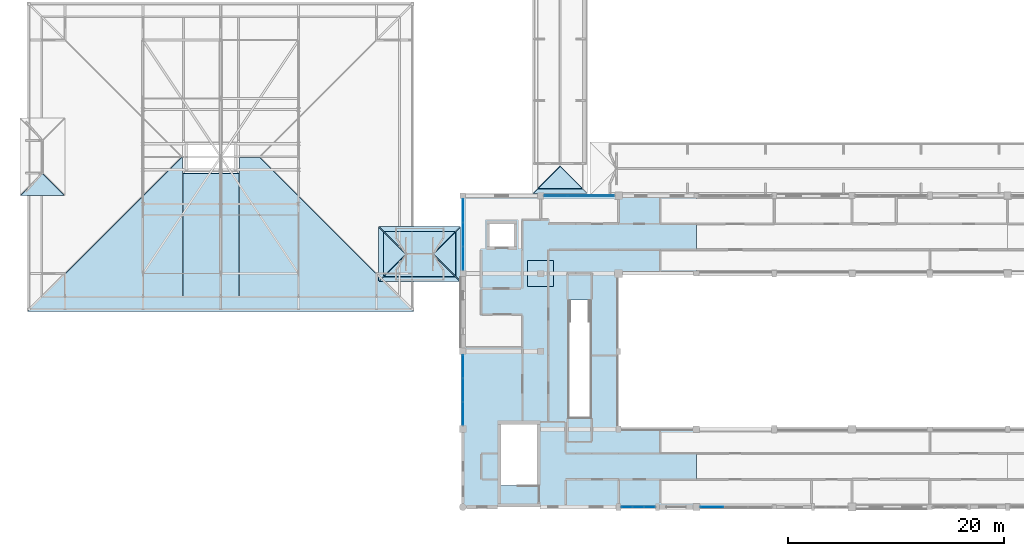
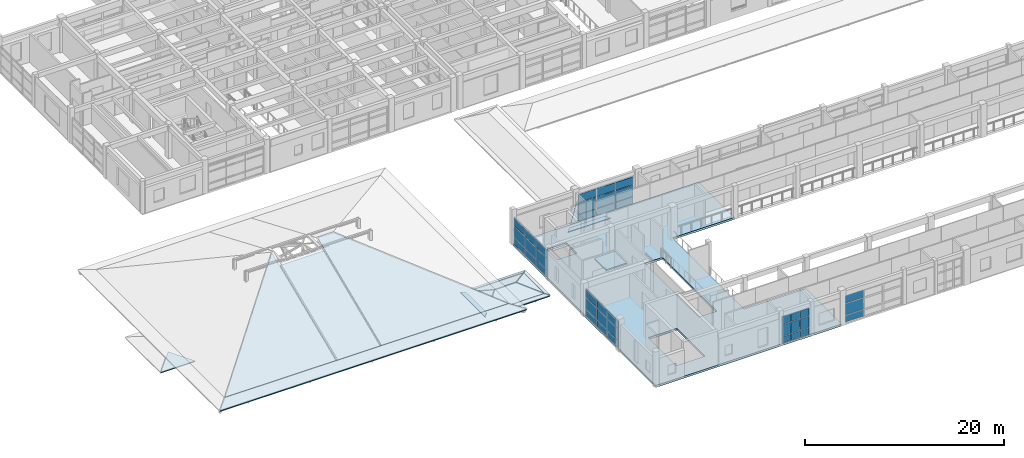
# One storey, part 58 of 110: 39 plates, 17 slabs, 9 elements without a shape of their own.
"""IFC4 building model written with IfcOpenShell, lengths in metres."""

from ifc_helpers import new_model, si_unit, direction, frame, origin, origin_2d, place, context, subcontext, project, spatial, polyline, rectangle, outline, extrude, material, layer, layer_set, type_object, element, aggregate, save


model = new_model("IFC4")

# Units and contexts
model_context = context("Model", 3, precision=1e-05, world=origin(), true_north=direction((0.0, 1.0)))
body_context = subcontext(model_context, "Body", "Model", "MODEL_VIEW")
ifc_project = project(units=[si_unit("LENGTHUNIT", "METRE"), si_unit("AREAUNIT", "SQUARE_METRE"), si_unit("VOLUMEUNIT", "CUBIC_METRE"), si_unit("PLANEANGLEUNIT", "RADIAN"), si_unit("MASSUNIT", "GRAM", prefix="KILO")], contexts=[model_context])

# Site, building, storey
site_placement = place(None, origin())
site = spatial("IfcSite", under=ifc_project, at=site_placement, CompositionType="ELEMENT")
building_placement = place(site_placement, origin())
building = spatial("IfcBuilding", under=site, at=building_placement, Name="Steenspoor Specialist Clinic", CompositionType="ELEMENT")
storey_placement = place(building_placement, frame((0.0, 0.0, 4.800048828125)))
storey = spatial("IfcBuildingStorey", under=building, at=storey_placement, Name="L01", CompositionType="ELEMENT", Elevation=4.800048828125)

# Curtain wall, plates
ifc_material_1 = material(Name="Thermally broken aluminium and low-emissivity glass", Category="aluminium")
curtain_wall_type_1 = type_object("IfcCurtainWallType", Name="CW-WLK-520X340", PredefinedType="USERDEFINED", material=ifc_material_1)
curtain_wall_1_placement = place(storey_placement, origin())
curtain_wall_1 = element("IfcCurtainWall", 1, at=curtain_wall_1_placement, inside=storey, type_object=curtain_wall_type_1, Name="Unitised Curtain Wall CW-V1-L01-021", ObjectType="UNITISED GLAZING", PredefinedType="USERDEFINED")
ifc_material_2 = material(Name="Double low-emissivity insulated glass", Category="glass")
ifc_layer_1 = layer(ifc_material_2, 0.035888671875)
ifc_layer_set_1 = layer_set([ifc_layer_1], Name="Double low-emissivity insulated glass")
plate_type_1 = type_object("IfcPlateType", Name="CW-PAN-GL36", PredefinedType="CURTAIN_PANEL", material=ifc_layer_set_1)
plate_1_placement = place(storey_placement, frame((45.199951171875, 21.68701171875, 0.070068359375), z_axis=(0.0, 0.0, 1.0), x_axis=(0.0, 1.0, 0.0)))
plate_1 = element("IfcPlate", 2, at=plate_1_placement, type_object=plate_type_1, Name="CW-21 panel 1.1", PredefinedType="CURTAIN_PANEL", context=body_context, shape_type="SweptSolid", body=[
    extrude(rectangle(XDim=2.09423828125, YDim=0.035888671875, at=origin_2d()), origin(), (0.0, 0.0, 1.0), 0.794921875),
])
plate_2_placement = place(storey_placement, frame((45.199951171875, 21.68701171875, 0.93505859375), z_axis=(0.0, 0.0, 1.0), x_axis=(0.0, 1.0, 0.0)))
plate_2 = element("IfcPlate", 3, at=plate_2_placement, type_object=plate_type_1, Name="CW-21 panel 1.2", PredefinedType="CURTAIN_PANEL", context=body_context, shape_type="SweptSolid", body=[
    extrude(rectangle(XDim=2.09423828125, YDim=0.035888671875, at=origin_2d()), origin(), (0.0, 0.0, 1.0), 1.3798828125),
])
plate_3_placement = place(storey_placement, frame((45.199951171875, 21.68701171875, 2.384765625), z_axis=(0.0, 0.0, 1.0), x_axis=(0.0, 1.0, 0.0)))
plate_3 = element("IfcPlate", 4, at=plate_3_placement, type_object=plate_type_1, Name="CW-21 panel 1.3", PredefinedType="CURTAIN_PANEL", context=body_context, shape_type="SweptSolid", body=[
    extrude(rectangle(XDim=2.09423828125, YDim=0.035888671875, at=origin_2d()), origin(), (0.0, 0.0, 1.0), 0.925048828125),
])
plate_4_placement = place(storey_placement, frame((45.199951171875, 23.862548828125, 0.070068359375), z_axis=(0.0, 0.0, 1.0), x_axis=(0.0, 1.0, 0.0)))
plate_4 = element("IfcPlate", 5, at=plate_4_placement, type_object=plate_type_1, Name="CW-21 panel 2.1", PredefinedType="CURTAIN_PANEL", context=body_context, shape_type="SweptSolid", body=[
    extrude(rectangle(XDim=2.126708984375, YDim=0.035888671875, at=origin_2d()), origin(), (0.0, 0.0, 1.0), 0.794921875),
])
plate_5_placement = place(storey_placement, frame((45.199951171875, 23.862548828125, 0.93505859375), z_axis=(0.0, 0.0, 1.0), x_axis=(0.0, 1.0, 0.0)))
plate_5 = element("IfcPlate", 6, at=plate_5_placement, type_object=plate_type_1, Name="CW-21 panel 2.2", PredefinedType="CURTAIN_PANEL", context=body_context, shape_type="SweptSolid", body=[
    extrude(rectangle(XDim=2.126708984375, YDim=0.035888671875, at=origin_2d()), origin(), (0.0, 0.0, 1.0), 1.3798828125),
])
plate_6_placement = place(storey_placement, frame((45.199951171875, 23.862548828125, 2.384765625), z_axis=(0.0, 0.0, 1.0), x_axis=(0.0, 1.0, 0.0)))
plate_6 = element("IfcPlate", 7, at=plate_6_placement, type_object=plate_type_1, Name="CW-21 panel 2.3", PredefinedType="CURTAIN_PANEL", context=body_context, shape_type="SweptSolid", body=[
    extrude(rectangle(XDim=2.126708984375, YDim=0.035888671875, at=origin_2d()), origin(), (0.0, 0.0, 1.0), 0.925048828125),
])
plate_7_placement = place(storey_placement, frame((45.199951171875, 26.037841796875, 0.070068359375), z_axis=(0.0, 0.0, 1.0), x_axis=(0.0, 1.0, 0.0)))
plate_7 = element("IfcPlate", 8, at=plate_7_placement, type_object=plate_type_1, Name="CW-21 panel 3.1", PredefinedType="CURTAIN_PANEL", context=body_context, shape_type="SweptSolid", body=[
    extrude(rectangle(XDim=2.09423828125, YDim=0.035888671875, at=origin_2d()), origin(), (0.0, 0.0, 1.0), 0.794921875),
])
plate_8_placement = place(storey_placement, frame((45.199951171875, 26.037841796875, 0.93505859375), z_axis=(0.0, 0.0, 1.0), x_axis=(0.0, 1.0, 0.0)))
plate_8 = element("IfcPlate", 9, at=plate_8_placement, type_object=plate_type_1, Name="CW-21 panel 3.2", PredefinedType="CURTAIN_PANEL", context=body_context, shape_type="SweptSolid", body=[
    extrude(rectangle(XDim=2.09423828125, YDim=0.035888671875, at=origin_2d()), origin(), (0.0, 0.0, 1.0), 1.3798828125),
])
plate_9_placement = place(storey_placement, frame((45.199951171875, 26.037841796875, 2.384765625), z_axis=(0.0, 0.0, 1.0), x_axis=(0.0, 1.0, 0.0)))
plate_9 = element("IfcPlate", 10, at=plate_9_placement, type_object=plate_type_1, Name="CW-21 panel 3.3", PredefinedType="CURTAIN_PANEL", context=body_context, shape_type="SweptSolid", body=[
    extrude(rectangle(XDim=2.09423828125, YDim=0.035888671875, at=origin_2d()), origin(), (0.0, 0.0, 1.0), 0.925048828125),
])
aggregate(curtain_wall_1, [plate_1, plate_2, plate_3, plate_4, plate_5, plate_6, plate_7, plate_8, plate_9])

curtain_wall_type_2 = type_object("IfcCurtainWallType", Name="CW-SCR-360X320", PredefinedType="USERDEFINED", material=ifc_material_1)
curtain_wall_2_placement = place(storey_placement, origin())
curtain_wall_2 = element("IfcCurtainWall", 11, at=curtain_wall_2_placement, inside=storey, type_object=curtain_wall_type_2, Name="Unitised Curtain Wall CW-V1-L01-019", ObjectType="UNITISED GLAZING", PredefinedType="USERDEFINED")
ifc_material_3 = material(Name="Triple acoustic laminated low-emissivity glass", Category="glass")
ifc_layer_2 = layer(ifc_material_3, 0.048095703125)
ifc_layer_set_2 = layer_set([ifc_layer_2], Name="Triple acoustic laminated low-emissivity glass")
plate_type_2 = type_object("IfcPlateType", Name="CW-PAN-GL48", PredefinedType="CURTAIN_PANEL", material=ifc_layer_set_2)
plate_10_placement = place(storey_placement, frame((68.257568359375, 13.050048828125, 0.08984375), z_axis=(0.0, 0.0, 1.0), x_axis=(-1.0, 0.0, 0.0)))
plate_10 = element("IfcPlate", 12, at=plate_10_placement, type_object=plate_type_2, Name="CW-19 panel 3.1", PredefinedType="CURTAIN_PANEL", context=body_context, shape_type="SweptSolid", body=[
    extrude(rectangle(XDim=2.10498046875, YDim=0.048095703125, at=origin_2d()), origin(), (0.0, 0.0, 1.0), 0.764892578125),
])
plate_11_placement = place(storey_placement, frame((68.257568359375, 13.050048828125, 0.94482421875), z_axis=(0.0, 0.0, 1.0), x_axis=(-1.0, 0.0, 0.0)))
plate_11 = element("IfcPlate", 13, at=plate_11_placement, type_object=plate_type_2, Name="CW-19 panel 3.2", PredefinedType="CURTAIN_PANEL", context=body_context, shape_type="SweptSolid", body=[
    extrude(rectangle(XDim=2.10498046875, YDim=0.048095703125, at=origin_2d()), origin(), (0.0, 0.0, 1.0), 1.360107421875),
])
plate_12_placement = place(storey_placement, frame((68.257568359375, 13.050048828125, 2.39501953125), z_axis=(0.0, 0.0, 1.0), x_axis=(-1.0, 0.0, 0.0)))
plate_12 = element("IfcPlate", 14, at=plate_12_placement, type_object=plate_type_2, Name="CW-19 panel 3.3", PredefinedType="CURTAIN_PANEL", context=body_context, shape_type="SweptSolid", body=[
    extrude(rectangle(XDim=2.10498046875, YDim=0.048095703125, at=origin_2d()), origin(), (0.0, 0.0, 1.0), 0.89501953125),
])
aggregate(curtain_wall_2, [plate_10, plate_11, plate_12])

curtain_wall_type_3 = type_object("IfcCurtainWallType", Name="CW-WLK-360X340", PredefinedType="USERDEFINED", material=ifc_material_1)
curtain_wall_3_placement = place(storey_placement, origin())
curtain_wall_3 = element("IfcCurtainWall", 15, at=curtain_wall_3_placement, inside=storey, type_object=curtain_wall_type_3, Name="Unitised Curtain Wall CW-V1-L01-022", ObjectType="UNITISED GLAZING", PredefinedType="USERDEFINED")
plate_13_placement = place(storey_placement, frame((45.199951171875, 36.052490234375, 0.06494140625), z_axis=(0.0, 0.0, 1.0), x_axis=(0.0, 1.0, 0.0)))
plate_13 = element("IfcPlate", 16, at=plate_13_placement, type_object=plate_type_2, Name="CW-22 panel 1.1", PredefinedType="CURTAIN_PANEL", context=body_context, shape_type="SweptSolid", body=[
    extrude(rectangle(XDim=2.135009765625, YDim=0.048095703125, at=origin_2d()), origin(), (0.0, 0.0, 1.0), 0.802490234375),
])
plate_14_placement = place(storey_placement, frame((45.199951171875, 36.052490234375, 0.9326171875), z_axis=(0.0, 0.0, 1.0), x_axis=(0.0, 1.0, 0.0)))
plate_14 = element("IfcPlate", 17, at=plate_14_placement, type_object=plate_type_2, Name="CW-22 panel 1.2", PredefinedType="CURTAIN_PANEL", context=body_context, shape_type="SweptSolid", body=[
    extrude(rectangle(XDim=2.135009765625, YDim=0.048095703125, at=origin_2d()), origin(), (0.0, 0.0, 1.0), 1.385009765625),
])
plate_15_placement = place(storey_placement, frame((45.199951171875, 36.052490234375, 2.38232421875), z_axis=(0.0, 0.0, 1.0), x_axis=(0.0, 1.0, 0.0)))
plate_15 = element("IfcPlate", 18, at=plate_15_placement, type_object=plate_type_2, Name="CW-22 panel 1.3", PredefinedType="CURTAIN_PANEL", context=body_context, shape_type="SweptSolid", body=[
    extrude(rectangle(XDim=2.135009765625, YDim=0.048095703125, at=origin_2d()), origin(), (0.0, 0.0, 1.0), 0.9326171875),
])
plate_16_placement = place(storey_placement, frame((45.199951171875, 38.262451171875, 0.06494140625), z_axis=(0.0, 0.0, 1.0), x_axis=(0.0, 1.0, 0.0)))
plate_16 = element("IfcPlate", 19, at=plate_16_placement, type_object=plate_type_2, Name="CW-22 panel 2.1", PredefinedType="CURTAIN_PANEL", context=body_context, shape_type="SweptSolid", body=[
    extrude(rectangle(XDim=2.1650390625, YDim=0.048095703125, at=origin_2d()), origin(), (0.0, 0.0, 1.0), 0.802490234375),
])
plate_17_placement = place(storey_placement, frame((45.199951171875, 38.262451171875, 0.9326171875), z_axis=(0.0, 0.0, 1.0), x_axis=(0.0, 1.0, 0.0)))
plate_17 = element("IfcPlate", 20, at=plate_17_placement, type_object=plate_type_2, Name="CW-22 panel 2.2", PredefinedType="CURTAIN_PANEL", context=body_context, shape_type="SweptSolid", body=[
    extrude(rectangle(XDim=2.1650390625, YDim=0.048095703125, at=origin_2d()), origin(), (0.0, 0.0, 1.0), 1.385009765625),
])
plate_18_placement = place(storey_placement, frame((45.199951171875, 38.262451171875, 2.38232421875), z_axis=(0.0, 0.0, 1.0), x_axis=(0.0, 1.0, 0.0)))
plate_18 = element("IfcPlate", 21, at=plate_18_placement, type_object=plate_type_2, Name="CW-22 panel 2.3", PredefinedType="CURTAIN_PANEL", context=body_context, shape_type="SweptSolid", body=[
    extrude(rectangle(XDim=2.1650390625, YDim=0.048095703125, at=origin_2d()), origin(), (0.0, 0.0, 1.0), 0.9326171875),
])
plate_19_placement = place(storey_placement, frame((45.199951171875, 40.472412109375, 0.06494140625), z_axis=(0.0, 0.0, 1.0), x_axis=(0.0, 1.0, 0.0)))
plate_19 = element("IfcPlate", 22, at=plate_19_placement, type_object=plate_type_2, Name="CW-22 panel 3.1", PredefinedType="CURTAIN_PANEL", context=body_context, shape_type="SweptSolid", body=[
    extrude(rectangle(XDim=2.135009765625, YDim=0.048095703125, at=origin_2d()), origin(), (0.0, 0.0, 1.0), 0.802490234375),
])
plate_20_placement = place(storey_placement, frame((45.199951171875, 40.472412109375, 0.9326171875), z_axis=(0.0, 0.0, 1.0), x_axis=(0.0, 1.0, 0.0)))
plate_20 = element("IfcPlate", 23, at=plate_20_placement, type_object=plate_type_2, Name="CW-22 panel 3.2", PredefinedType="CURTAIN_PANEL", context=body_context, shape_type="SweptSolid", body=[
    extrude(rectangle(XDim=2.135009765625, YDim=0.048095703125, at=origin_2d()), origin(), (0.0, 0.0, 1.0), 1.385009765625),
])
plate_21_placement = place(storey_placement, frame((45.199951171875, 40.472412109375, 2.38232421875), z_axis=(0.0, 0.0, 1.0), x_axis=(0.0, 1.0, 0.0)))
plate_21 = element("IfcPlate", 24, at=plate_21_placement, type_object=plate_type_2, Name="CW-22 panel 3.3", PredefinedType="CURTAIN_PANEL", context=body_context, shape_type="SweptSolid", body=[
    extrude(rectangle(XDim=2.135009765625, YDim=0.048095703125, at=origin_2d()), origin(), (0.0, 0.0, 1.0), 0.9326171875),
])
aggregate(curtain_wall_3, [plate_13, plate_14, plate_15, plate_16, plate_17, plate_18, plate_19, plate_20, plate_21])

curtain_wall_type_4 = type_object("IfcCurtainWallType", Name="CW-WLK-640X340", PredefinedType="USERDEFINED", material=ifc_material_1)
curtain_wall_4_placement = place(storey_placement, origin())
curtain_wall_4 = element("IfcCurtainWall", 25, at=curtain_wall_4_placement, inside=storey, type_object=curtain_wall_type_4, Name="Unitised Curtain Wall CW-V1-L01-020", ObjectType="UNITISED GLAZING", PredefinedType="USERDEFINED")
ifc_material_4 = material(Name="Insulated glazed ceramic spandrel panel", Category="glass")
ifc_layer_3 = layer(ifc_material_4, 0.074951171875)
ifc_layer_set_3 = layer_set([ifc_layer_3], Name="Insulated glazed ceramic spandrel panel")
plate_type_3 = type_object("IfcPlateType", Name="CW-PAN-SP75", PredefinedType="CURTAIN_PANEL", material=ifc_layer_set_3)
plate_22_placement = place(storey_placement, frame((62.478271484375, 13.050048828125, 0.080078125), z_axis=(0.0, 0.0, 1.0), x_axis=(-1.0, 0.0, 0.0)))
plate_22 = element("IfcPlate", 26, at=plate_22_placement, type_object=plate_type_3, Name="CW-20 panel 1.1", PredefinedType="CURTAIN_PANEL", context=body_context, shape_type="SweptSolid", body=[
    extrude(rectangle(XDim=0.96337890625, YDim=0.074951171875, at=origin_2d()), origin(), (0.0, 0.0, 1.0), 0.780029296875),
])
plate_23_placement = place(storey_placement, frame((62.478271484375, 13.050048828125, 0.93994140625), z_axis=(0.0, 0.0, 1.0), x_axis=(-1.0, 0.0, 0.0)))
plate_23 = element("IfcPlate", 27, at=plate_23_placement, type_object=plate_type_3, Name="CW-20 panel 1.2", PredefinedType="CURTAIN_PANEL", context=body_context, shape_type="SweptSolid", body=[
    extrude(rectangle(XDim=0.96337890625, YDim=0.074951171875, at=origin_2d()), origin(), (0.0, 0.0, 1.0), 1.3701171875),
])
plate_24_placement = place(storey_placement, frame((62.478271484375, 13.050048828125, 2.39013671875), z_axis=(0.0, 0.0, 1.0), x_axis=(-1.0, 0.0, 0.0)))
plate_24 = element("IfcPlate", 28, at=plate_24_placement, type_object=plate_type_3, Name="CW-20 panel 1.3", PredefinedType="CURTAIN_PANEL", context=body_context, shape_type="SweptSolid", body=[
    extrude(rectangle(XDim=0.96337890625, YDim=0.074951171875, at=origin_2d()), origin(), (0.0, 0.0, 1.0), 0.909912109375),
])
plate_25_placement = place(storey_placement, frame((61.427490234375, 13.050048828125, 0.080078125), z_axis=(0.0, 0.0, 1.0), x_axis=(-1.0, 0.0, 0.0)))
plate_25 = element("IfcPlate", 29, at=plate_25_placement, type_object=plate_type_3, Name="CW-20 panel 2.1", PredefinedType="CURTAIN_PANEL", context=body_context, shape_type="SweptSolid", body=[
    extrude(rectangle(XDim=0.998291015625, YDim=0.074951171875, at=origin_2d()), origin(), (0.0, 0.0, 1.0), 0.780029296875),
])
plate_26_placement = place(storey_placement, frame((61.427490234375, 13.050048828125, 0.93994140625), z_axis=(0.0, 0.0, 1.0), x_axis=(-1.0, 0.0, 0.0)))
plate_26 = element("IfcPlate", 30, at=plate_26_placement, type_object=plate_type_3, Name="CW-20 panel 2.2", PredefinedType="CURTAIN_PANEL", context=body_context, shape_type="SweptSolid", body=[
    extrude(rectangle(XDim=0.998291015625, YDim=0.074951171875, at=origin_2d()), origin(), (0.0, 0.0, 1.0), 1.3701171875),
])
plate_27_placement = place(storey_placement, frame((61.427490234375, 13.050048828125, 2.39013671875), z_axis=(0.0, 0.0, 1.0), x_axis=(-1.0, 0.0, 0.0)))
plate_27 = element("IfcPlate", 31, at=plate_27_placement, type_object=plate_type_3, Name="CW-20 panel 2.3", PredefinedType="CURTAIN_PANEL", context=body_context, shape_type="SweptSolid", body=[
    extrude(rectangle(XDim=0.998291015625, YDim=0.074951171875, at=origin_2d()), origin(), (0.0, 0.0, 1.0), 0.909912109375),
])
plate_28_placement = place(storey_placement, frame((60.376708984375, 13.050048828125, 0.080078125), z_axis=(0.0, 0.0, 1.0), x_axis=(-1.0, 0.0, 0.0)))
plate_28 = element("IfcPlate", 32, at=plate_28_placement, type_object=plate_type_3, Name="CW-20 panel 3.1", PredefinedType="CURTAIN_PANEL", context=body_context, shape_type="SweptSolid", body=[
    extrude(rectangle(XDim=0.96337890625, YDim=0.074951171875, at=origin_2d()), origin(), (0.0, 0.0, 1.0), 0.780029296875),
])
plate_29_placement = place(storey_placement, frame((60.376708984375, 13.050048828125, 0.93994140625), z_axis=(0.0, 0.0, 1.0), x_axis=(-1.0, 0.0, 0.0)))
plate_29 = element("IfcPlate", 33, at=plate_29_placement, type_object=plate_type_3, Name="CW-20 panel 3.2", PredefinedType="CURTAIN_PANEL", context=body_context, shape_type="SweptSolid", body=[
    extrude(rectangle(XDim=0.96337890625, YDim=0.074951171875, at=origin_2d()), origin(), (0.0, 0.0, 1.0), 1.3701171875),
])
plate_30_placement = place(storey_placement, frame((60.376708984375, 13.050048828125, 2.39013671875), z_axis=(0.0, 0.0, 1.0), x_axis=(-1.0, 0.0, 0.0)))
plate_30 = element("IfcPlate", 34, at=plate_30_placement, type_object=plate_type_3, Name="CW-20 panel 3.3", PredefinedType="CURTAIN_PANEL", context=body_context, shape_type="SweptSolid", body=[
    extrude(rectangle(XDim=0.96337890625, YDim=0.074951171875, at=origin_2d()), origin(), (0.0, 0.0, 1.0), 0.909912109375),
])
aggregate(curtain_wall_4, [plate_22, plate_23, plate_24, plate_25, plate_26, plate_27, plate_28, plate_29, plate_30])

curtain_wall_type_5 = type_object("IfcCurtainWallType", Name="CW-STR-220X355", PredefinedType="USERDEFINED", material=ifc_material_1)
curtain_wall_5_placement = place(storey_placement, origin())
curtain_wall_5 = element("IfcCurtainWall", 35, at=curtain_wall_5_placement, inside=storey, type_object=curtain_wall_type_5, Name="Unitised Curtain Wall CW-V1-L01-023", ObjectType="UNITISED GLAZING", PredefinedType="USERDEFINED")
plate_31_placement = place(storey_placement, frame((53.814208984375, 41.85009765625, 0.059814453125), z_axis=(0.0, 0.0, 1.0), x_axis=(1.0, 0.0, 0.0)))
plate_31 = element("IfcPlate", 36, at=plate_31_placement, type_object=plate_type_3, Name="CW-23 panel 1.1", PredefinedType="CURTAIN_PANEL", context=body_context, shape_type="SweptSolid", body=[
    extrude(rectangle(XDim=2.04833984375, YDim=0.074951171875, at=origin_2d()), origin(), (0.0, 0.0, 1.0), 0.81005859375),
])
plate_32_placement = place(storey_placement, frame((53.814208984375, 41.85009765625, 0.93017578125), z_axis=(0.0, 0.0, 1.0), x_axis=(1.0, 0.0, 0.0)))
plate_32 = element("IfcPlate", 37, at=plate_32_placement, type_object=plate_type_3, Name="CW-23 panel 1.2", PredefinedType="CURTAIN_PANEL", context=body_context, shape_type="SweptSolid", body=[
    extrude(rectangle(XDim=2.04833984375, YDim=0.074951171875, at=origin_2d()), origin(), (0.0, 0.0, 1.0), 1.389892578125),
])
plate_33_placement = place(storey_placement, frame((53.814208984375, 41.85009765625, 2.3798828125), z_axis=(0.0, 0.0, 1.0), x_axis=(1.0, 0.0, 0.0)))
plate_33 = element("IfcPlate", 38, at=plate_33_placement, type_object=plate_type_3, Name="CW-23 panel 1.3", PredefinedType="CURTAIN_PANEL", context=body_context, shape_type="SweptSolid", body=[
    extrude(rectangle(XDim=2.04833984375, YDim=0.074951171875, at=origin_2d()), origin(), (0.0, 0.0, 1.0), 0.93994140625),
])
plate_34_placement = place(storey_placement, frame((55.97509765625, 41.85009765625, 0.059814453125), z_axis=(0.0, 0.0, 1.0), x_axis=(1.0, 0.0, 0.0)))
plate_34 = element("IfcPlate", 39, at=plate_34_placement, type_object=plate_type_3, Name="CW-23 panel 2.1", PredefinedType="CURTAIN_PANEL", context=body_context, shape_type="SweptSolid", body=[
    extrude(rectangle(XDim=2.09326171875, YDim=0.074951171875, at=origin_2d()), origin(), (0.0, 0.0, 1.0), 0.81005859375),
])
plate_35_placement = place(storey_placement, frame((55.97509765625, 41.85009765625, 0.93017578125), z_axis=(0.0, 0.0, 1.0), x_axis=(1.0, 0.0, 0.0)))
plate_35 = element("IfcPlate", 40, at=plate_35_placement, type_object=plate_type_3, Name="CW-23 panel 2.2", PredefinedType="CURTAIN_PANEL", context=body_context, shape_type="SweptSolid", body=[
    extrude(rectangle(XDim=2.09326171875, YDim=0.074951171875, at=origin_2d()), origin(), (0.0, 0.0, 1.0), 1.389892578125),
])
plate_36_placement = place(storey_placement, frame((55.97509765625, 41.85009765625, 2.3798828125), z_axis=(0.0, 0.0, 1.0), x_axis=(1.0, 0.0, 0.0)))
plate_36 = element("IfcPlate", 41, at=plate_36_placement, type_object=plate_type_3, Name="CW-23 panel 2.3", PredefinedType="CURTAIN_PANEL", context=body_context, shape_type="SweptSolid", body=[
    extrude(rectangle(XDim=2.09326171875, YDim=0.074951171875, at=origin_2d()), origin(), (0.0, 0.0, 1.0), 0.93994140625),
])
plate_37_placement = place(storey_placement, frame((58.1357421875, 41.85009765625, 0.059814453125), z_axis=(0.0, 0.0, 1.0), x_axis=(1.0, 0.0, 0.0)))
plate_37 = element("IfcPlate", 42, at=plate_37_placement, type_object=plate_type_3, Name="CW-23 panel 3.1", PredefinedType="CURTAIN_PANEL", context=body_context, shape_type="SweptSolid", body=[
    extrude(rectangle(XDim=2.04833984375, YDim=0.074951171875, at=origin_2d()), origin(), (0.0, 0.0, 1.0), 0.81005859375),
])
plate_38_placement = place(storey_placement, frame((58.1357421875, 41.85009765625, 0.93017578125), z_axis=(0.0, 0.0, 1.0), x_axis=(1.0, 0.0, 0.0)))
plate_38 = element("IfcPlate", 43, at=plate_38_placement, type_object=plate_type_3, Name="CW-23 panel 3.2", PredefinedType="CURTAIN_PANEL", context=body_context, shape_type="SweptSolid", body=[
    extrude(rectangle(XDim=2.04833984375, YDim=0.074951171875, at=origin_2d()), origin(), (0.0, 0.0, 1.0), 1.389892578125),
])
plate_39_placement = place(storey_placement, frame((58.1357421875, 41.85009765625, 2.3798828125), z_axis=(0.0, 0.0, 1.0), x_axis=(1.0, 0.0, 0.0)))
plate_39 = element("IfcPlate", 44, at=plate_39_placement, type_object=plate_type_3, Name="CW-23 panel 3.3", PredefinedType="CURTAIN_PANEL", context=body_context, shape_type="SweptSolid", body=[
    extrude(rectangle(XDim=2.04833984375, YDim=0.074951171875, at=origin_2d()), origin(), (0.0, 0.0, 1.0), 0.93994140625),
])
aggregate(curtain_wall_5, [plate_31, plate_32, plate_33, plate_34, plate_35, plate_36, plate_37, plate_38, plate_39])

# Slabs
ifc_material_5 = material(Name="Concrete C35/45", Category="concrete")
ifc_layer_4 = layer(ifc_material_5, 0.169921875)
ifc_layer_set_4 = layer_set([ifc_layer_4], Name="Concrete C35/45")
slab_type_1 = type_object("IfcSlabType", Name="SL-DROP-170", PredefinedType="USERDEFINED", material=ifc_layer_set_4)
slab_1_placement = place(storey_placement, frame((0.0, 0.0, -0.420166015625)))
element("IfcSlab", 45, at=slab_1_placement, inside=storey, type_object=slab_type_1, Name="Column Drop Panel DROP-V1-L01-001", ObjectType="DROP PANEL", PredefinedType="USERDEFINED", context=body_context, shape_type="SweptSolid", body=[
    extrude(outline(polyline([(53.60009765625, 33.449951171875), (53.60009765625, 35.85009765625), (51.199951171875, 35.85009765625), (51.199951171875, 33.449951171875), (53.60009765625, 33.449951171875)])), origin(), (0.0, 0.0, 1.0), 0.170166015625),
])
ifc_layer_5 = layer(ifc_material_5, 0.25)
ifc_layer_set_5 = layer_set([ifc_layer_5], Name="Concrete C35/45")
slab_type_2 = type_object("IfcSlabType", Name="SL-FLAT-250", PredefinedType="FLOOR", material=ifc_layer_set_5)
slab_2_placement = place(storey_placement, frame((0.0, 0.0, -0.25)))
element("IfcSlab", 46, at=slab_2_placement, inside=storey, type_object=slab_type_2, Name="Structural Slab SLAB-V1-L01-004", PredefinedType="FLOOR", context=body_context, shape_type="SweptSolid", body=[
    extrude(outline(polyline([(45.199951171875, 41.85009765625), (66.800048828125, 41.85009765625), (66.800048828125, 34.64990234375), (59.60009765625, 34.64990234375), (59.60009765625, 20.25), (66.800048828125, 20.25), (66.800048828125, 13.050048828125), (45.199951171875, 13.050048828125), (45.199951171875, 41.85009765625)]), holes=[polyline([(48.75, 20.699951171875), (48.75, 15.050048828125), (52.050048828125, 15.050048828125), (52.050048828125, 20.699951171875), (48.75, 20.699951171875)]), polyline([(57.02490234375, 32.199951171875), (54.97509765625, 32.199951171875), (54.97509765625, 21.300048828125), (57.02490234375, 21.300048828125), (57.02490234375, 32.199951171875)]), polyline([(49.925048828125, 39.25), (47.675048828125, 39.25), (47.675048828125, 37.14990234375), (49.925048828125, 37.14990234375), (49.925048828125, 39.25)])]), origin(), (0.0, 0.0, 1.0), 0.25),
])

# Roof, slabs
ifc_material_6 = material(Name="Extruded terracotta clay roof tile", Category="masonry")
roof_type = type_object("IfcRoofType", Name="ROOF-HIP-TIER", PredefinedType="HIP_ROOF", material=ifc_material_6)
roof_1_placement = place(storey_placement, origin())
roof_1 = element("IfcRoof", 47, at=roof_1_placement, inside=storey, type_object=roof_type, Name="Tiered Hipped Roof V3", PredefinedType="HIP_ROOF")
ifc_layer_6 = layer(ifc_material_5, 0.14990234375)
ifc_layer_set_6 = layer_set([ifc_layer_6], Name="Concrete C35/45")
slab_type_3 = type_object("IfcSlabType", Name="SL-ROOF-150", PredefinedType="ROOF", material=ifc_layer_set_6)
slab_3_placement = place(storey_placement, frame((6.30029296875, 32.490966796875, 0.33447265625), z_axis=(0.0, -0.241995280227, 0.970277426486), x_axis=(-0.696295200328, -0.696421983868, -0.173693449463)))
slab_3 = element("IfcSlab", 48, at=slab_3_placement, type_object=slab_type_3, Name="Hipped Roof Slab RSLAB-V3-SKS", PredefinedType="ROOF", context=body_context, shape_type="SweptSolid", body=[
    extrude(outline(polyline([(0.0, 0.0), (1.9256492244505445, -6.245004513516506e-17), (-22.91896589467012, 25.61034424135406), (-22.977231628983542, 23.685406632792482), (0.0, 0.0)])), origin(), (0.0, 0.0, -1.0), 0.14990234375),
])
slab_4_placement = place(storey_placement, frame((6.318359375, 32.509033203125, 0.34033203125), z_axis=(0.0, -0.388710220495, 0.921360062344), x_axis=(1.0, 0.0, 0.0)))
slab_4 = element("IfcSlab", 49, at=slab_4_placement, type_object=slab_type_3, Name="Hipped Roof Slab RSLAB-V3-S1", PredefinedType="ROOF", context=body_context, shape_type="SweptSolid", body=[
    extrude(outline(polyline([(0.0, 0.0), (12.9296875, 0.0), (12.9296875, 13.999875085137173), (12.89892578125, 13.999875085137173), (0.0, 0.0)])), origin(), (0.0, 0.0, -1.0), 0.14990234375),
])
slab_5_placement = place(storey_placement, frame((26.382568359375, 45.407958984375, 5.7822265625), z_axis=(0.0, -0.388710220495, 0.921360062344), x_axis=(-1.0, 0.0, 0.0)))
slab_5 = element("IfcSlab", 50, at=slab_5_placement, type_object=slab_type_3, Name="Hipped Roof Slab RSLAB-V3-S2", PredefinedType="ROOF", context=body_context, shape_type="SweptSolid", body=[
    extrude(outline(polyline([(0.0, 0.0), (1.83056640625, 0.0), (1.83056640625, 13.999875085137173), (-12.89892578125, 13.999875085137173), (0.0, 0.0)])), origin(), (0.0, 0.0, -1.0), 0.14990234375),
])
slab_6_placement = place(storey_placement, frame((19.33203125, 32.509033203125, 0.34033203125), z_axis=(0.0, -0.388716486138, 0.921357418923), x_axis=(1.0, 0.0, 0.0)))
slab_6 = element("IfcSlab", 51, at=slab_6_placement, type_object=slab_type_3, Name="Hipped Roof Slab RSLAB-V3-S3", PredefinedType="ROOF", context=body_context, shape_type="SweptSolid", body=[
    extrude(outline(polyline([(0.0, 0.0), (5.135986328125, 0.0), (5.135986328125, 12.361018407964568), (0.0, 12.361018407964568), (0.0, 0.0)])), origin(), (0.0, 0.0, -1.0), 0.14990234375),
])
aggregate(roof_1, [slab_3, slab_4, slab_5, slab_6])

roof_2_placement = place(storey_placement, origin())
roof_2 = element("IfcRoof", 52, at=roof_2_placement, inside=storey, type_object=roof_type, Name="Tiered Hipped Roof WK1", PredefinedType="HIP_ROOF")
slab_7_placement = place(storey_placement, frame((52.150390625, 42.490966796875, -0.89013671875), z_axis=(0.0, -0.241777034717, 0.970331832665), x_axis=(-0.696380618666, -0.696380618666, -0.173516765448)))
slab_7 = element("IfcSlab", 53, at=slab_7_placement, type_object=slab_type_3, Name="Hipped Roof Slab RSLAB-WK1-SKS", PredefinedType="ROOF", context=body_context, shape_type="SweptSolid", body=[
    extrude(outline(polyline([(0.0, 0.0), (0.6331565769225402, -1.3877787807814457e-17), (-2.835655376849423, 3.5748718500189085), (-2.854548483253995, 2.941827101985859), (0.0, 0.0)])), origin(), (0.0, 0.0, -1.0), 0.14990234375),
])
slab_8_placement = place(storey_placement, frame((54.199951171875, 44.54052734375, 0.412109375), z_axis=(0.0, -0.537295164305, 0.843394276963), x_axis=(-0.644712083339, -0.644712083339, -0.41072211919)))
slab_8 = element("IfcSlab", 54, at=slab_8_placement, type_object=slab_type_3, Name="Hipped Roof Slab RSLAB-WK1-S", PredefinedType="ROOF", context=body_context, shape_type="SweptSolid", body=[
    extrude(outline(polyline([(0.0, 0.0), (3.1510098742097594, 5.551115123125783e-17), (0.5313948344102669, 3.1060384346354253), (0.0, 0.0)])), origin(), (0.0, 0.0, -1.0), 0.14990234375),
])
aggregate(roof_2, [slab_7, slab_8])

roof_3_placement = place(storey_placement, origin())
roof_3 = element("IfcRoof", 55, at=roof_3_placement, inside=storey, type_object=roof_type, Name="Tiered Hipped Roof WK3", PredefinedType="HIP_ROOF")
slab_9_placement = place(storey_placement, frame((37.900390625, 34.341064453125, -1.39013671875), z_axis=(0.0, -0.241651049809, 0.970363215567), x_axis=(-0.696193650542, -0.696579139828, -0.173470178707)))
slab_9 = element("IfcSlab", 56, at=slab_9_placement, type_object=slab_type_3, Name="Hipped Roof Slab RSLAB-WK3-SKS", PredefinedType="ROOF", context=body_context, shape_type="SweptSolid", body=[
    extrude(outline(polyline([(0.0, 0.0), (0.6333266159588132, 4.5102810375396984e-17), (-4.575038138330561, 5.3704103716885605), (-4.594266204628848, 4.737205637396528), (0.0, 0.0)])), origin(), (0.0, 0.0, -1.0), 0.14990234375),
])
slab_10_placement = place(storey_placement, frame((44.49951171875, 38.55908203125, -1.39013671875), z_axis=(0.0, 0.241777034717, 0.970331832665), x_axis=(0.696579139828, 0.696193650542, -0.173470178707)))
slab_10 = element("IfcSlab", 57, at=slab_10_placement, type_object=slab_type_3, Name="Hipped Roof Slab RSLAB-WK3-SKN", PredefinedType="ROOF", context=body_context, shape_type="SweptSolid", body=[
    extrude(outline(polyline([(0.0, 0.0), (0.6333266159588132, -1.0408340855860843e-17), (-4.577922061228839, 5.3676119642326805), (-4.596810095107601, 4.734737179558443), (0.0, 0.0)])), origin(), (0.0, 0.0, -1.0), 0.14990234375),
])
slab_11_placement = place(storey_placement, frame((37.841064453125, 38.49951171875, -1.39013671875), z_axis=(-0.241651049809, 0.0, 0.970363215567), x_axis=(-0.696392218775, 0.696392218775, -0.173423629468)))
slab_11 = element("IfcSlab", 58, at=slab_11_placement, type_object=slab_type_3, Name="Hipped Roof Slab RSLAB-WK3-SKW", PredefinedType="ROOF", context=body_context, shape_type="SweptSolid", body=[
    extrude(outline(polyline([(0.0, 0.0), (0.6334966093543166, -3.469446951953614e-17), (-2.8353731268947677, 3.574815780935304), (-2.854596033505961, 2.9417809617165984), (0.0, 0.0)])), origin(), (0.0, 0.0, -1.0), 0.14990234375),
])
slab_12_placement = place(storey_placement, frame((44.55908203125, 34.400390625, -1.39013671875), z_axis=(0.241777034717, 0.0, 0.970331832665), x_axis=(0.696380618666, -0.696380618666, -0.173516765448)))
slab_12 = element("IfcSlab", 59, at=slab_12_placement, type_object=slab_type_3, Name="Hipped Roof Slab RSLAB-WK3-SKE", PredefinedType="ROOF", context=body_context, shape_type="SweptSolid", body=[
    extrude(outline(polyline([(0.0, 0.0), (0.6331565769225402, -1.3877787807814457e-17), (-2.835655376849423, 3.5748718500189085), (-2.854548483253995, 2.941827101985859), (0.0, 0.0)])), origin(), (0.0, 0.0, -1.0), 0.14990234375),
])
slab_13_placement = place(storey_placement, frame((44.481689453125, 34.35888671875, -1.38427734375), z_axis=(0.0, -0.370512807351, 0.928827357257), x_axis=(-0.680551788047, 0.680551788047, 0.271474727318)))
slab_13 = element("IfcSlab", 60, at=slab_13_placement, type_object=slab_type_3, Name="Hipped Roof Slab RSLAB-WK3-S", PredefinedType="ROOF", context=body_context, shape_type="SweptSolid", body=[
    extrude(outline(polyline([(0.0, 0.0), (3.0108983645545977, -1.942890293094024e-16), (4.688684486550984, 1.8063487351958305), (4.466619560074159, 4.808880278101557), (0.0, 0.0)])), origin(), (0.0, 0.0, -1.0), 0.14990234375),
])
slab_14_placement = place(storey_placement, frame((37.91845703125, 38.541015625, -1.38427734375), z_axis=(0.0, 0.370512807351, 0.928827357257), x_axis=(0.680508253677, -0.680589343793, 0.27148970845)))
slab_14 = element("IfcSlab", 61, at=slab_14_placement, type_object=slab_type_3, Name="Hipped Roof Slab RSLAB-WK3-N", PredefinedType="ROOF", context=body_context, shape_type="SweptSolid", body=[
    extrude(outline(polyline([(0.0, 0.0), (3.010732219529827, 1.6653345369377348e-16), (4.688411014848654, 1.8064484172111916), (4.466333833883545, 4.809145652593431), (0.0, 0.0)])), origin(), (0.0, 0.0, -1.0), 0.14990234375),
])
slab_15_placement = place(storey_placement, frame((39.890625, 36.449951171875, -0.57373046875), z_axis=(-0.370543828513, 0.0, 0.928814982195), x_axis=(-0.680546920278, 0.680546920278, -0.271499131858)))
slab_15 = element("IfcSlab", 62, at=slab_15_placement, type_object=slab_type_3, Name="Hipped Roof Slab RSLAB-WK3-W", PredefinedType="ROOF", context=body_context, shape_type="SweptSolid", body=[
    extrude(outline(polyline([(0.0, 0.0), (2.985449233124837, -1.6653345369377348e-16), (0.22022892204330236, 2.9771486938610106), (0.0, 0.0)])), origin(), (0.0, 0.0, -1.0), 0.14990234375),
])
slab_16_placement = place(storey_placement, frame((42.509521484375, 36.449951171875, -0.57373046875), z_axis=(0.370582244478, 0.0, 0.928799655511), x_axis=(0.680540891355, -0.680540891355, -0.27152935456)))
slab_16 = element("IfcSlab", 63, at=slab_16_placement, type_object=slab_type_3, Name="Hipped Roof Slab RSLAB-WK3-E", PredefinedType="ROOF", context=body_context, shape_type="SweptSolid", body=[
    extrude(outline(polyline([(0.0, 0.0), (2.985116936295743, 1.1102230246251565e-16), (0.21992112213122694, 2.9771714467768264), (0.0, 0.0)])), origin(), (0.0, 0.0, -1.0), 0.14990234375),
])
aggregate(roof_3, [slab_9, slab_10, slab_11, slab_12, slab_13, slab_14, slab_15, slab_16])

# Roof, slab
roof_4_placement = place(storey_placement, origin())
roof_4 = element("IfcRoof", 64, at=roof_4_placement, inside=storey, type_object=roof_type, Name="Tiered Hipped Roof PORCH-WEST", PredefinedType="HIP_ROOF")
slab_17_placement = place(storey_placement, frame((6.300048828125, 43.890625, -0.918701171875), z_axis=(0.0, -0.299567533263, 0.954075098205), x_axis=(-0.690297658339, -0.690297658339, -0.216744747992)))
slab_17 = element("IfcSlab", 65, at=slab_17_placement, type_object=slab_type_3, Name="Hipped Roof Slab RSLAB-PORCH-WEST-S", PredefinedType="ROOF", context=body_context, shape_type="SweptSolid", body=[
    extrude(outline(polyline([(0.0, 0.0), (2.9128625357604743, 5.551115123125783e-17), (0.13700981835126183, 2.9094698338027496), (0.0, 0.0)])), origin(), (0.0, 0.0, -1.0), 0.14990234375),
])
aggregate(roof_4, [slab_17])

save(model, "model.ifc")
